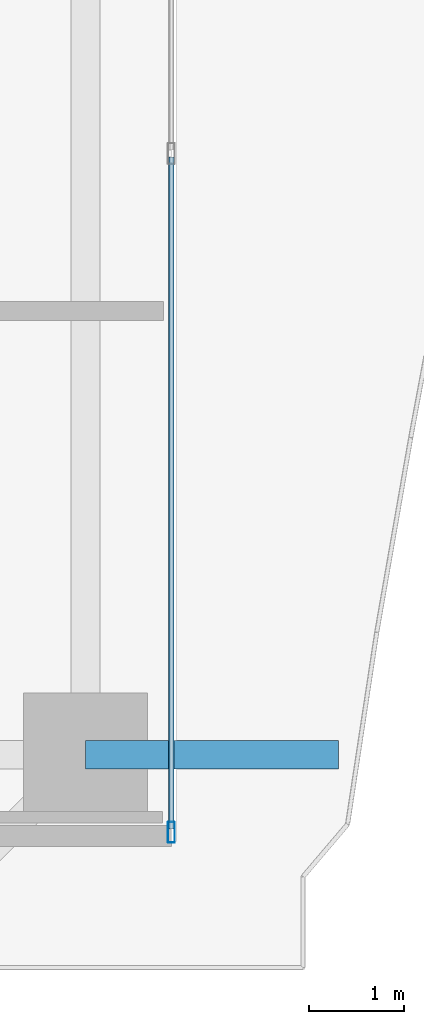
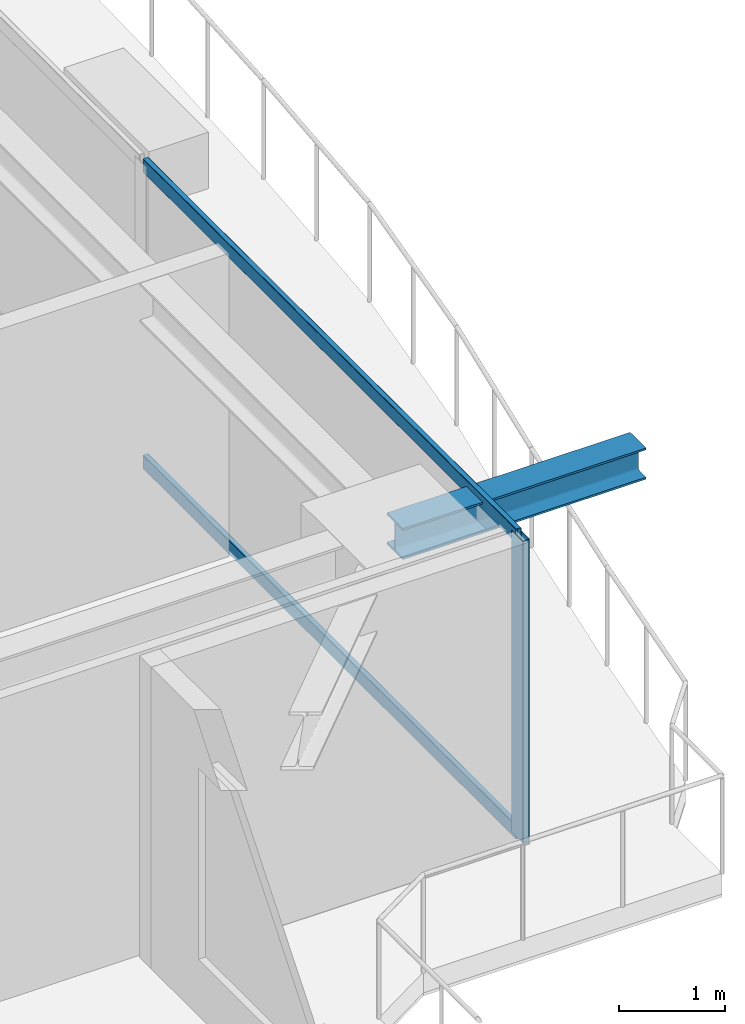
# One storey, part 12 of 35: 3 members, 1 beam, 1 element without a shape of its own.
"""IFC4 building model written with IfcOpenShell, lengths in metres."""

from ifc_helpers import new_model, si_unit, direction, frame, origin, origin_2d, place, context, subcontext, project, spatial, hollow_rectangle, i_section, extrude, source, transform, mapped, material, layer, layer_set, material_profile, profile_set, type_object, element, aggregate, save


model = new_model("IFC4")

# Units and contexts
model_context = context("Model", 3, precision=1e-05, world=origin(), true_north=direction((0.0, 1.0)))
body_context = subcontext(model_context, "Body", "Model", "MODEL_VIEW")
ifc_project = project(units=[si_unit("LENGTHUNIT", "METRE"), si_unit("AREAUNIT", "SQUARE_METRE"), si_unit("VOLUMEUNIT", "CUBIC_METRE"), si_unit("PLANEANGLEUNIT", "RADIAN"), si_unit("MASSUNIT", "GRAM", prefix="KILO")], contexts=[model_context])

# Site, building, storey
site_placement = place(None, origin())
site = spatial("IfcSite", under=ifc_project, at=site_placement, CompositionType="ELEMENT")
building_placement = place(site_placement, origin())
building = spatial("IfcBuilding", under=site, at=building_placement, Name="Serunith Strait Residences", CompositionType="ELEMENT")
storey_placement = place(building_placement, frame((0.0, 0.0, 191.39990234375)))
storey = spatial("IfcBuildingStorey", under=building, at=storey_placement, Name="L48", CompositionType="ELEMENT", Elevation=191.39990234375)

# Beam
ifc_material_1 = material(Name="Steel S355J2", Category="steel")
ifc_material_profile_1 = material_profile(ifc_material_1, i_section(OverallWidth=0.300048828125, OverallDepth=0.360107421875, WebThickness=0.012451171875, FlangeThickness=0.0224609375, FilletRadius=0.027099609375, at=origin_2d()), Name="HEB 360")
ifc_profile_set_1 = profile_set([ifc_material_profile_1], Name="Steel S355J2")
beam_type = type_object("IfcBeamType", Name="BM-HEB360", PredefinedType="BEAM", material=ifc_profile_set_1)
shared_shape_1 = source(origin(), body_context, "Body", "SweptSolid", [
    extrude(i_section(OverallWidth=0.300048828125, OverallDepth=0.360107421875, WebThickness=0.012451171875, FlangeThickness=0.0224609375, FilletRadius=0.027099609375, at=origin_2d()), origin(), (0.0, 0.0, 1.0), 2.651123046875),
])
beam_placement = place(storey_placement, frame((56.10009765625, 10.25, 3.277099609375), z_axis=(1.0, 0.0, 0.0), x_axis=(0.0, 1.0, 0.0)))
element("IfcBeam", 1, at=beam_placement, inside=storey, type_object=beam_type, Name="L49 Cantilevered Balcony Rib TC-E1", PredefinedType="BEAM", context=body_context, shape_type="MappedRepresentation", body=[
    mapped(shared_shape_1, transform((0.0, 0.0, 0.0), scale=1.0)),
])

# Curtain wall, members
ifc_material_2 = material(Name="Pale-Silver PVDF Aluminium", Category="aluminium")
ifc_layer = layer(ifc_material_2, 0.199951171875, Name="Pale-Silver PVDF Aluminium")
ifc_layer_set = layer_set([ifc_layer], Name="Pale-Silver PVDF Aluminium")
curtain_wall_type = type_object("IfcCurtainWallType", Name="CW-SYS3", PredefinedType="NOTDEFINED", material=ifc_layer_set)
curtain_wall_placement = place(storey_placement, origin())
curtain_wall = element("IfcCurtainWall", 2, at=curtain_wall_placement, inside=storey, type_object=curtain_wall_type, Name="L48 E Unitised Fritted Curtain Wall", PredefinedType="NOTDEFINED")
ifc_material_profile_2 = material_profile(ifc_material_2, hollow_rectangle(XDim=0.074951171875, YDim=0.219970703125, WallThickness=0.00390625, InnerFilletRadius=0.006103515625, OuterFilletRadius=0.010009765625, at=origin_2d()), Name="ALU 220x75x4")
ifc_profile_set_2 = profile_set([ifc_material_profile_2], Name="Pale-Silver PVDF Aluminium")
member_type_1 = type_object("IfcMemberType", Name="CW-SYS3-MULL", PredefinedType="MULLION", material=ifc_profile_set_2)
shared_shape_2 = source(origin(), body_context, "Body", "SweptSolid", [
    extrude(hollow_rectangle(XDim=0.074951171875, YDim=0.219970703125, WallThickness=0.00390625, InnerFilletRadius=0.006103515625, OuterFilletRadius=0.010009765625, at=origin_2d()), origin(), (0.0, 0.0, 1.0), 3.47509765625),
])
member_1_placement = place(storey_placement, frame((57.0, 9.4375, 0.0), z_axis=(0.0, 0.0, 1.0), x_axis=(-1.0, 0.0, 0.0)))
member_1 = element("IfcMember", 3, at=member_1_placement, type_object=member_type_1, Name="CW-3 mullion 1", PredefinedType="MULLION", context=body_context, shape_type="MappedRepresentation", body=[
    mapped(shared_shape_2, transform((0.0, 0.0, 0.0), scale=1.0)),
])
ifc_material_profile_3 = material_profile(ifc_material_2, hollow_rectangle(XDim=0.06005859375, YDim=0.159912109375, WallThickness=0.00341796875, InnerFilletRadius=0.00537109375, OuterFilletRadius=0.0087890625, at=origin_2d()), Name="ALU 160x60x3.5")
ifc_profile_set_3 = profile_set([ifc_material_profile_3], Name="Pale-Silver PVDF Aluminium")
member_type_2 = type_object("IfcMemberType", Name="CW-SYS3-TRAN", PredefinedType="USERDEFINED", material=ifc_profile_set_3)
shared_shape_3 = source(origin(), body_context, "Body", "SweptSolid", [
    extrude(hollow_rectangle(XDim=0.06005859375, YDim=0.159912109375, WallThickness=0.00341796875, InnerFilletRadius=0.00537109375, OuterFilletRadius=0.0087890625, at=origin_2d()), origin(), (0.0, 0.0, 1.0), 7.037353515625),
])
member_2_placement = place(storey_placement, frame((57.0, 9.47509765625, 0.030029296875), z_axis=(0.0, 1.0, 0.0), x_axis=(-1.0, 0.0, 0.0)))
member_2 = element("IfcMember", 4, at=member_2_placement, type_object=member_type_2, Name="CW-3 transom 1.1", ObjectType="TRANSOM", PredefinedType="USERDEFINED", context=body_context, shape_type="MappedRepresentation", body=[
    mapped(shared_shape_3, transform((0.0, 0.0, 0.0), scale=1.0)),
])
member_3_placement = place(storey_placement, frame((57.0, 9.47509765625, 3.445068359375), z_axis=(0.0, 1.0, 0.0), x_axis=(-1.0, 0.0, 0.0)))
member_3 = element("IfcMember", 5, at=member_3_placement, type_object=member_type_2, Name="CW-3 transom 1.2", ObjectType="TRANSOM", PredefinedType="USERDEFINED", context=body_context, shape_type="MappedRepresentation", body=[
    mapped(shared_shape_3, transform((0.0, 0.0, 0.0), scale=1.0)),
])
aggregate(curtain_wall, [member_1, member_2, member_3])

save(model, "model.ifc")
